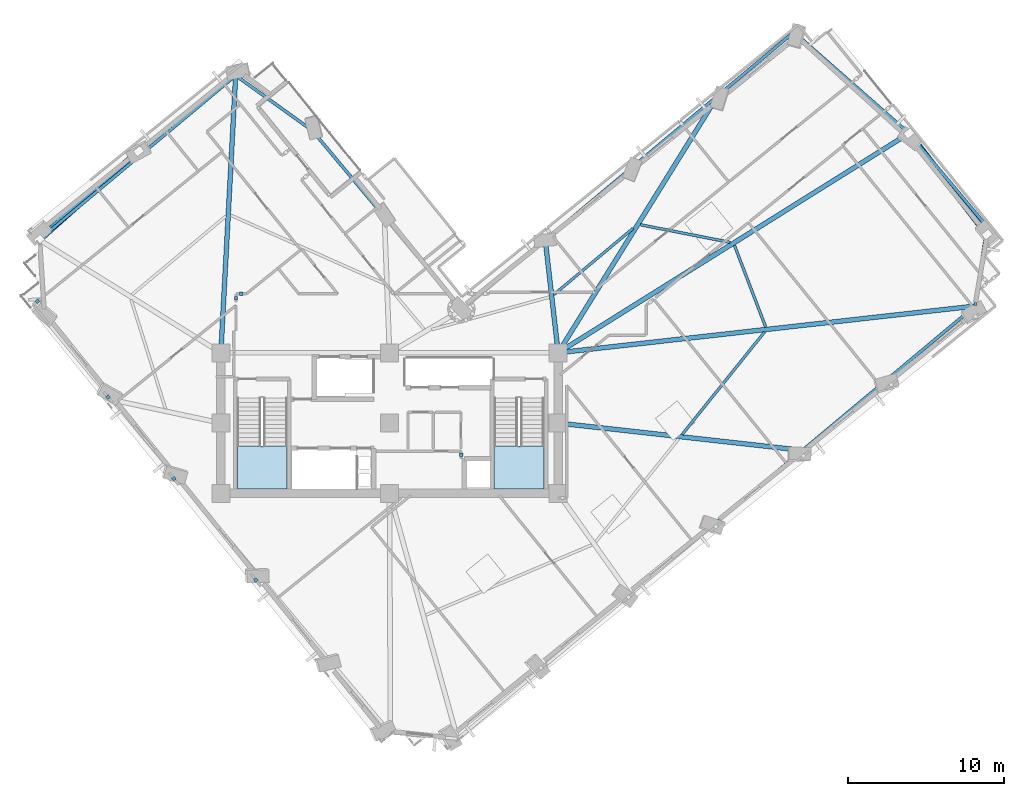
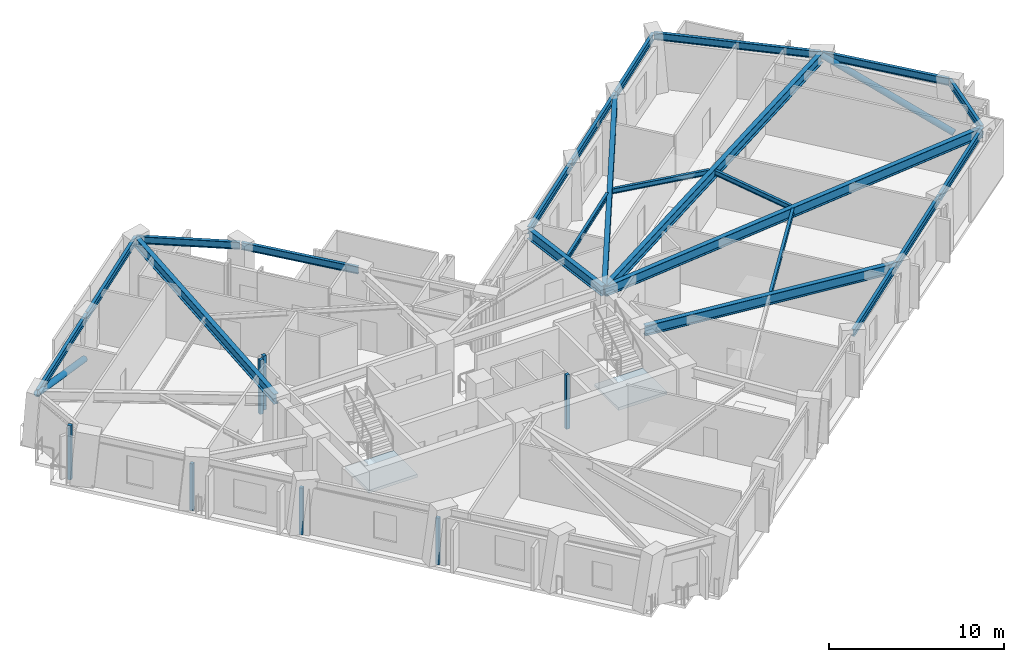
# One storey, part 2 of 14: 23 beams, 7 plates, 2 members, 2 slabs, 2 elements without a shape of their own.
"""IFC4 building model written with IfcOpenShell, lengths in metres."""

from ifc_helpers import new_model, si_unit, direction, frame, origin, origin_2d, place, context, subcontext, project, spatial, polyline, rectangle, hollow_circle, i_section, outline, extrude, material, layer, layer_set, material_profile, profile_set, type_object, element, aggregate, save


model = new_model("IFC4")

# Units and contexts
model_context = context("Model", 3, precision=1e-05, world=origin(), true_north=direction((0.0, 1.0)))
body_context = subcontext(model_context, "Body", "Model", "MODEL_VIEW")
ifc_project = project(units=[si_unit("LENGTHUNIT", "METRE"), si_unit("AREAUNIT", "SQUARE_METRE"), si_unit("VOLUMEUNIT", "CUBIC_METRE"), si_unit("PLANEANGLEUNIT", "RADIAN"), si_unit("MASSUNIT", "GRAM", prefix="KILO")], contexts=[model_context])

# Site, building, storey
site_placement = place(None, origin())
site = spatial("IfcSite", under=ifc_project, at=site_placement, CompositionType="ELEMENT")
building_placement = place(site_placement, origin())
building = spatial("IfcBuilding", under=site, at=building_placement, Name="Gaonmaruhae Medical Tower", CompositionType="ELEMENT")
storey_placement = place(building_placement, frame((0.0, 0.0, 189.800048828125)))
storey = spatial("IfcBuildingStorey", under=building, at=storey_placement, Name="L45", CompositionType="ELEMENT", Elevation=189.800048828125)

# Beams
ifc_material_1 = material(Name="Steel SM355", Category="steel")
ifc_material_profile_1 = material_profile(ifc_material_1, i_section(OverallWidth=0.175048828125, OverallDepth=0.35009765625, WebThickness=0.007080078125, FlangeThickness=0.010986328125, FilletRadius=0.012939453125, at=origin_2d()), Name="H-350x175x7x11")
ifc_profile_set_1 = profile_set([ifc_material_profile_1], Name="Steel SM355")
beam_type_1 = type_object("IfcBeamType", Name="FJ-02 Upper Zone Ward Floor Joist (H-350x175x7x11)", PredefinedType="JOIST", material=ifc_profile_set_1)
beam_1_placement = place(storey_placement, frame((43.5390625, 11.569580078125, 3.60498046875), z_axis=(0.626685849725, 0.779271997286, 0.0), x_axis=(-0.779271997286, 0.626685849725, 0.0)))
element("IfcBeam", 1, at=beam_1_placement, inside=storey, type_object=beam_type_1, Name="L45 Secondary Floor Joist FJ03", PredefinedType="JOIST", context=body_context, shape_type="SweptSolid", body=[
    extrude(i_section(OverallWidth=0.175048828125, OverallDepth=0.35009765625, WebThickness=0.007080078125, FlangeThickness=0.010986328125, FilletRadius=0.012939453125, at=origin_2d()), origin(), (0.0, 0.0, 1.0), 8.411376953125),
])
beam_2_placement = place(storey_placement, frame((48.889892578125, 18.4453125, 3.60498046875), z_axis=(-0.357205684933, 0.934025748388, 0.0), x_axis=(-0.934025748388, -0.357205684933, 0.0)))
element("IfcBeam", 2, at=beam_2_placement, inside=storey, type_object=beam_type_1, Name="L45 Secondary Floor Joist FJ04", PredefinedType="JOIST", context=body_context, shape_type="SweptSolid", body=[
    extrude(i_section(OverallWidth=0.175048828125, OverallDepth=0.35009765625, WebThickness=0.007080078125, FlangeThickness=0.010986328125, FilletRadius=0.012939453125, at=origin_2d()), origin(), (0.0, 0.0, 1.0), 5.601806640625),
])
beam_3_placement = place(storey_placement, frame((46.611083984375, 23.869384765625, 3.60498046875), z_axis=(-0.981236691887, 0.192807039534, 0.0), x_axis=(-0.192807039534, -0.981236691887, 0.0)))
element("IfcBeam", 3, at=beam_3_placement, inside=storey, type_object=beam_type_1, Name="L45 Secondary Floor Joist FJ05", PredefinedType="JOIST", context=body_context, shape_type="SweptSolid", body=[
    extrude(i_section(OverallWidth=0.175048828125, OverallDepth=0.35009765625, WebThickness=0.007080078125, FlangeThickness=0.010986328125, FilletRadius=0.012939453125, at=origin_2d()), origin(), (0.0, 0.0, 1.0), 5.847412109375),
])
beam_4_placement = place(storey_placement, frame((40.402587890625, 24.77197265625, 3.60498046875), z_axis=(-0.767155145094, -0.641461599283, 0.0), x_axis=(0.641461599283, -0.767155145094, 0.0)))
element("IfcBeam", 4, at=beam_4_placement, inside=storey, type_object=beam_type_1, Name="L45 Secondary Floor Joist FJ06", PredefinedType="JOIST", context=body_context, shape_type="SweptSolid", body=[
    extrude(i_section(OverallWidth=0.175048828125, OverallDepth=0.35009765625, WebThickness=0.007080078125, FlangeThickness=0.010986328125, FilletRadius=0.012939453125, at=origin_2d()), origin(), (0.0, 0.0, 1.0), 6.61376953125),
])

# Members
ifc_material_2 = material(Name="Steel SM420", Category="steel")
ifc_material_profile_2 = material_profile(ifc_material_2, hollow_circle(Radius=0.203125, WallThickness=0.0126953125, at=origin_2d()), Name="CHS-406.4x12.7")
ifc_profile_set_2 = profile_set([ifc_material_profile_2], Name="Steel SM420")
member_type = type_object("IfcMemberType", Name="PB-02 Perimeter Solid-Bay Tube Brace Mid (CHS-406.4x12.7)", PredefinedType="BRACE", material=ifc_profile_set_2)
member_1_placement = place(storey_placement, frame((63.064697265625, 24.379150390625, 0.25), z_axis=(-0.56744796322, 0.734479687185, 0.372212839852), x_axis=(-0.791339484165, -0.611376987465, 0.0)))
element("IfcMember", 5, at=member_1_placement, inside=storey, type_object=member_type, Name="L45 Perimeter Tube Solid-Bay Brace E01-E02", PredefinedType="BRACE", context=body_context, shape_type="SweptSolid", body=[
    extrude(hollow_circle(Radius=0.203125, WallThickness=0.0126953125, at=origin_2d()), origin(), (0.0, 0.0, 1.0), 8.812255859375),
])
member_2_placement = place(storey_placement, frame((8.7353515625, 29.710693359375, 0.25), z_axis=(-0.696956099495, -0.620810853632, 0.358951360757), x_axis=(0.665138142608, -0.746720330008, 0.0)))
element("IfcMember", 6, at=member_2_placement, inside=storey, type_object=member_type, Name="L45 Perimeter Tube Solid-Bay Brace N02-N03", PredefinedType="BRACE", context=body_context, shape_type="SweptSolid", body=[
    extrude(hollow_circle(Radius=0.203125, WallThickness=0.0126953125, at=origin_2d()), origin(), (0.0, 0.0, 1.0), 9.1376953125),
])

# Beams
ifc_material_profile_3 = material_profile(ifc_material_2, i_section(OverallWidth=0.300048828125, OverallDepth=0.699951171875, WebThickness=0.012939453125, FlangeThickness=0.02392578125, FilletRadius=0.01806640625, at=origin_2d()), Name="H-700x300x13x24")
ifc_profile_set_3 = profile_set([ifc_material_profile_3], Name="Steel SM420")
beam_type_2 = type_object("IfcBeamType", Name="PG-03 Zone 3 Radial Floor Girder (H-700x300x13x24)", PredefinedType="BEAM", material=ifc_profile_set_3)
beam_5_placement = place(storey_placement, frame((35.649658203125, 12.29443359375, 3.429931640625), z_axis=(0.993825745271, -0.110952188061, 0.0), x_axis=(0.110952188061, 0.993825745271, 0.0)))
element("IfcBeam", 7, at=beam_5_placement, inside=storey, type_object=beam_type_2, Name="L45 Radial Primary Girder S05", PredefinedType="BEAM", context=body_context, shape_type="SweptSolid", body=[
    extrude(i_section(OverallWidth=0.300048828125, OverallDepth=0.699951171875, WebThickness=0.012939453125, FlangeThickness=0.02392578125, FilletRadius=0.01806640625, at=origin_2d()), origin(), (0.0, 0.0, 1.0), 15.64501953125),
])
beam_6_placement = place(storey_placement, frame((35.649658203125, 16.8056640625, 3.429931640625), z_axis=(0.993787236378, 0.111296580412, 0.0), x_axis=(-0.111296580412, 0.993787236378, 0.0)))
element("IfcBeam", 8, at=beam_6_placement, inside=storey, type_object=beam_type_2, Name="L45 Radial Primary Girder S07", PredefinedType="BEAM", context=body_context, shape_type="SweptSolid", body=[
    extrude(i_section(OverallWidth=0.300048828125, OverallDepth=0.699951171875, WebThickness=0.012939453125, FlangeThickness=0.02392578125, FilletRadius=0.01806640625, at=origin_2d()), origin(), (0.0, 0.0, 1.0), 26.761962890625),
])
beam_7_placement = place(storey_placement, frame((35.642333984375, 16.826416015625, 3.429931640625), z_axis=(0.847802360288, 0.530312321081, 0.0), x_axis=(-0.530312321081, 0.847802360288, 0.0)))
element("IfcBeam", 9, at=beam_7_placement, inside=storey, type_object=beam_type_2, Name="L45 Radial Primary Girder E02", PredefinedType="BEAM", context=body_context, shape_type="SweptSolid", body=[
    extrude(i_section(OverallWidth=0.300048828125, OverallDepth=0.699951171875, WebThickness=0.012939453125, FlangeThickness=0.02392578125, FilletRadius=0.01806640625, at=origin_2d()), origin(), (0.0, 0.0, 1.0), 26.397216796875),
])
beam_8_placement = place(storey_placement, frame((35.62646484375, 16.842529296875, 3.429931640625), z_axis=(0.527542904072, 0.849528389381, 0.0), x_axis=(-0.849528389381, 0.527542904072, 0.0)))
element("IfcBeam", 10, at=beam_8_placement, inside=storey, type_object=beam_type_2, Name="L45 Radial Primary Girder EN01", PredefinedType="BEAM", context=body_context, shape_type="SweptSolid", body=[
    extrude(i_section(OverallWidth=0.300048828125, OverallDepth=0.699951171875, WebThickness=0.012939453125, FlangeThickness=0.02392578125, FilletRadius=0.01806640625, at=origin_2d()), origin(), (0.0, 0.0, 1.0), 19.272705078125),
])
beam_9_placement = place(storey_placement, frame((35.59423828125, 16.849609375, 3.429931640625), z_axis=(-0.113791533465, 0.993504648661, 0.0), x_axis=(-0.993504648661, -0.113791533465, 0.0)))
element("IfcBeam", 11, at=beam_9_placement, inside=storey, type_object=beam_type_2, Name="L45 Radial Primary Girder EN03", PredefinedType="BEAM", context=body_context, shape_type="SweptSolid", body=[
    extrude(i_section(OverallWidth=0.300048828125, OverallDepth=0.699951171875, WebThickness=0.012939453125, FlangeThickness=0.02392578125, FilletRadius=0.01806640625, at=origin_2d()), origin(), (0.0, 0.0, 1.0), 7.168212890625),
])
beam_10_placement = place(storey_placement, frame((14.002685546875, 16.849853515625, 3.429931640625), z_axis=(0.053320421548, 0.998577454505, 0.0), x_axis=(-0.998577454505, 0.053320421548, 0.0)))
element("IfcBeam", 12, at=beam_10_placement, inside=storey, type_object=beam_type_2, Name="L45 Radial Primary Girder N01", PredefinedType="BEAM", context=body_context, shape_type="SweptSolid", body=[
    extrude(i_section(OverallWidth=0.300048828125, OverallDepth=0.699951171875, WebThickness=0.012939453125, FlangeThickness=0.02392578125, FilletRadius=0.01806640625, at=origin_2d()), origin(), (0.0, 0.0, 1.0), 17.68310546875),
])
ifc_material_profile_4 = material_profile(ifc_material_1, i_section(OverallWidth=0.199951171875, OverallDepth=0.5, WebThickness=0.010009765625, FlangeThickness=0.01611328125, FilletRadius=0.012939453125, at=origin_2d()), Name="H-500x200x10x16")
ifc_profile_set_4 = profile_set([ifc_material_profile_4], Name="Steel SM355")
beam_type_3 = type_object("IfcBeamType", Name="SP-02 Upper Perimeter Spandrel Beam (H-500x200x10x16)", PredefinedType="SPANDREL", material=ifc_profile_set_4)
for number, where, z_axis, x_axis, name in (
    (13, (45.7548828125, 5.960205078125, 3.530029296875), (0.767160623285, 0.641455047592, 0.0), (-0.641455047592, 0.767160623285, 0.0), "L45 Perimeter Spandrel Beam S04-S05"),
    (14, (51.278564453125, 10.57861328125, 3.530029296875), (0.767160623285, 0.641455047592, 0.0), (-0.641455047592, 0.767160623285, 0.0), "L45 Perimeter Spandrel Beam S05-S06"),
    (15, (56.802001953125, 15.197021484375, 3.530029296875), (0.767160623285, 0.641455047592, 0.0), (-0.641455047592, 0.767160623285, 0.0), "L45 Perimeter Spandrel Beam S06-S07"),
):
    element("IfcBeam", number, at=place(storey_placement, frame(where, z_axis=z_axis, x_axis=x_axis)), inside=storey, type_object=beam_type_3, Name=name, PredefinedType="SPANDREL", context=body_context, shape_type="SweptSolid", body=[
        extrude(i_section(OverallWidth=0.199951171875, OverallDepth=0.5, WebThickness=0.010009765625, FlangeThickness=0.01611328125, FilletRadius=0.012939453125, at=origin_2d()), origin(), (0.0, 0.0, 1.0), 7.119873046875),
    ])
beam_11_placement = place(storey_placement, frame((62.301025390625, 19.829345703125, 3.530029296875), z_axis=(0.150406090199, 0.988624300749, 0.0), x_axis=(-0.988624300749, 0.150406090199, 0.0)))
element("IfcBeam", 16, at=beam_11_placement, inside=storey, type_object=beam_type_3, Name="L45 Perimeter Spandrel Beam S07-E01", PredefinedType="SPANDREL", context=body_context, shape_type="SweptSolid", body=[
    extrude(i_section(OverallWidth=0.199951171875, OverallDepth=0.5, WebThickness=0.010009765625, FlangeThickness=0.01611328125, FilletRadius=0.012939453125, at=origin_2d()), origin(), (0.0, 0.0, 1.0), 5.056396484375),
])
beam_12_placement = place(storey_placement, frame((63.0419921875, 24.8984375, 3.530029296875), z_axis=(-0.641437116679, 0.767175615714, 0.0), x_axis=(-0.767175615714, -0.641437116679, 0.0)))
element("IfcBeam", 17, at=beam_12_placement, inside=storey, type_object=beam_type_3, Name="L45 Perimeter Spandrel Beam E01-E02", PredefinedType="SPANDREL", context=body_context, shape_type="SweptSolid", body=[
    extrude(i_section(OverallWidth=0.199951171875, OverallDepth=0.5, WebThickness=0.010009765625, FlangeThickness=0.01611328125, FilletRadius=0.012939453125, at=origin_2d()), origin(), (0.0, 0.0, 1.0), 7.719970703125),
])
beam_13_placement = place(storey_placement, frame((58.0341796875, 30.878173828125, 3.530029296875), z_axis=(-0.75115660841, 0.660124041103, 0.0), x_axis=(-0.660124041103, -0.75115660841, 0.0)))
element("IfcBeam", 18, at=beam_13_placement, inside=storey, type_object=beam_type_3, Name="L45 Perimeter Spandrel Beam E02-E03", PredefinedType="SPANDREL", context=body_context, shape_type="SweptSolid", body=[
    extrude(i_section(OverallWidth=0.199951171875, OverallDepth=0.5, WebThickness=0.010009765625, FlangeThickness=0.01611328125, FilletRadius=0.012939453125, at=origin_2d()), origin(), (0.0, 0.0, 1.0), 9.7353515625),
])
beam_14_placement = place(storey_placement, frame((50.660888671875, 37.305419921875, 3.530029296875), z_axis=(-0.767170231394, -0.641443556412, 0.0), x_axis=(0.641443556412, -0.767170231394, 0.0)))
element("IfcBeam", 19, at=beam_14_placement, inside=storey, type_object=beam_type_3, Name="L45 Perimeter Spandrel Beam E03-EN01", PredefinedType="SPANDREL", context=body_context, shape_type="SweptSolid", body=[
    extrude(i_section(OverallWidth=0.199951171875, OverallDepth=0.5, WebThickness=0.010009765625, FlangeThickness=0.01611328125, FilletRadius=0.012939453125, at=origin_2d()), origin(), (0.0, 0.0, 1.0), 6.270263671875),
])
for number, where, z_axis, x_axis, name in (
    (20, (45.789306640625, 33.232177734375, 3.530029296875), (-0.767160623285, -0.641455047592, 0.0), (0.641455047592, -0.767160623285, 0.0), "L45 Perimeter Spandrel Beam EN01-EN02"),
    (21, (40.265625, 28.61376953125, 3.530029296875), (-0.767160623285, -0.641455047592, 0.0), (0.641455047592, -0.767160623285, 0.0), "L45 Perimeter Spandrel Beam EN02-EN03"),
    (22, (24.444091796875, 25.5390625, 3.510009765625), (-0.641455047592, 0.767160623285, 0.0), (-0.767160623285, -0.641455047592, 0.0), "L45 Perimeter Spandrel Beam NE01-NE02"),
):
    element("IfcBeam", number, at=place(storey_placement, frame(where, z_axis=z_axis, x_axis=x_axis)), inside=storey, type_object=beam_type_3, Name=name, PredefinedType="SPANDREL", context=body_context, shape_type="SweptSolid", body=[
        extrude(i_section(OverallWidth=0.199951171875, OverallDepth=0.5, WebThickness=0.010009765625, FlangeThickness=0.01611328125, FilletRadius=0.012939453125, at=origin_2d()), origin(), (0.0, 0.0, 1.0), 7.119873046875),
    ])
beam_15_placement = place(storey_placement, frame((19.81884765625, 31.055419921875, 3.510009765625), z_axis=(-0.811888539937, 0.583812468794, 0.0), x_axis=(-0.583812468794, -0.811888539937, 0.0)))
element("IfcBeam", 23, at=beam_15_placement, inside=storey, type_object=beam_type_3, Name="L45 Perimeter Spandrel Beam NE02-N01", PredefinedType="SPANDREL", context=body_context, shape_type="SweptSolid", body=[
    extrude(i_section(OverallWidth=0.199951171875, OverallDepth=0.5, WebThickness=0.010009765625, FlangeThickness=0.01611328125, FilletRadius=0.012939453125, at=origin_2d()), origin(), (0.0, 0.0, 1.0), 5.959228515625),
])
for number, where, z_axis, x_axis, name in (
    (24, (14.91748046875, 34.531982421875, 3.530029296875), (-0.767175324182, -0.641437465359, 0.0), (0.641437465359, -0.767175324182, 0.0), "L45 Perimeter Spandrel Beam N01-N02"),
    (25, (8.626708984375, 29.272216796875, 3.530029296875), (-0.767160528718, -0.641455160691, 0.0), (0.641455160691, -0.767160528718, 0.0), "L45 Perimeter Spandrel Beam N02-N03"),
):
    element("IfcBeam", number, at=place(storey_placement, frame(where, z_axis=z_axis, x_axis=x_axis)), inside=storey, type_object=beam_type_3, Name=name, PredefinedType="SPANDREL", context=body_context, shape_type="SweptSolid", body=[
        extrude(i_section(OverallWidth=0.199951171875, OverallDepth=0.5, WebThickness=0.010009765625, FlangeThickness=0.01611328125, FilletRadius=0.012939453125, at=origin_2d()), origin(), (0.0, 0.0, 1.0), 8.1201171875),
    ])

# Plates
ifc_material_3 = material(Name="Anodised aluminium 6063-T6", Category="aluminium")
ifc_layer_1 = layer(ifc_material_3, 0.011962890625)
ifc_layer_set_1 = layer_set([ifc_layer_1], Name="Anodised aluminium 6063-T6")
plate_type = type_object("IfcPlateType", Name="PP-01 Interior Partition Corner Stiffener Plate", PredefinedType="SHEET", material=ifc_layer_set_1)
plate_1_placement = place(storey_placement, frame((29.3798828125, 10.260009765625, 0.0), z_axis=(0.0, 0.0, 1.0), x_axis=(0.0, -1.0, 0.0)))
element("IfcPlate", 26, at=plate_1_placement, inside=storey, type_object=plate_type, Name="L45 Partition Corner Stiffener Plate PLT-L45-JGP-PW002", PredefinedType="SHEET", context=body_context, shape_type="SweptSolid", body=[
    extrude(rectangle(XDim=0.219970703125, YDim=0.219970703125, at=origin_2d()), origin(), (0.0, 0.0, 1.0), 3.780029296875),
])
for number, where, z_axis, x_axis, name in (
    (27, (16.239013671875, 2.24560546875, 0.0), (0.0, 0.0, 1.0), (-0.628641963719, 0.777694851116, 0.0), "L45 Partition Corner Stiffener Plate PLT-L45-JGP-PW030"),
    (28, (10.990478515625, 8.738525390625, 0.0), (0.0, 0.0, 1.0), (-0.628506220787, 0.777804557991, 0.0), "L45 Partition Corner Stiffener Plate PLT-L45-JGP-PW035"),
):
    element("IfcPlate", number, at=place(storey_placement, frame(where, z_axis=z_axis, x_axis=x_axis)), inside=storey, type_object=plate_type, Name=name, PredefinedType="SHEET", context=body_context, shape_type="SweptSolid", body=[
        extrude(rectangle(XDim=0.219970703125, YDim=0.219970703125, at=origin_2d()), origin(), (0.0, 0.0, 1.0), 3.264892578125),
    ])
plate_2_placement = place(storey_placement, frame((14.969970703125, 20.29638671875, 0.0), z_axis=(0.0, 0.0, 1.0), x_axis=(0.0, -1.0, 0.0)))
element("IfcPlate", 29, at=plate_2_placement, inside=storey, type_object=plate_type, Name="L45 Partition Corner Stiffener Plate PLT-L45-JGP-PW038", PredefinedType="SHEET", context=body_context, shape_type="SweptSolid", body=[
    extrude(rectangle(XDim=0.219970703125, YDim=0.219970703125, at=origin_2d()), origin(), (0.0, 0.0, 1.0), 3.780029296875),
])
plate_3_placement = place(storey_placement, frame((6.77001953125, 13.96044921875, 0.0), z_axis=(0.0, 0.0, 1.0), x_axis=(-0.62869625553, 0.777650961732, 0.0)))
element("IfcPlate", 30, at=plate_3_placement, inside=storey, type_object=plate_type, Name="L45 Partition Corner Stiffener Plate PLT-L45-JGP-PW039", PredefinedType="SHEET", context=body_context, shape_type="SweptSolid", body=[
    extrude(rectangle(XDim=0.219970703125, YDim=0.219970703125, at=origin_2d()), origin(), (0.0, 0.0, 1.0), 3.264892578125),
])
for number, where, z_axis, x_axis, name in (
    (31, (2.251953125, 20.097412109375, 0.0), (0.0, 0.0, 1.0), (0.777881338706, 0.628411189344, 0.0), "L45 Partition Corner Stiffener Plate PLT-L45-JGP-PW041"),
    (32, (15.3173828125, 20.580078125, 0.0), (0.0, 0.0, 1.0), (-1.0, 0.0, 0.0), "L45 Partition Corner Stiffener Plate PLT-L45-JGP-PW045"),
):
    element("IfcPlate", number, at=place(storey_placement, frame(where, z_axis=z_axis, x_axis=x_axis)), inside=storey, type_object=plate_type, Name=name, PredefinedType="SHEET", context=body_context, shape_type="SweptSolid", body=[
        extrude(rectangle(XDim=0.219970703125, YDim=0.219970703125, at=origin_2d()), origin(), (0.0, 0.0, 1.0), 3.780029296875),
    ])

# Stair, slab
ifc_material_4 = material(Name="Concrete C40/50", Category="concrete")
stair_type = type_object("IfcStairType", Name="ST-T1 Primary Core Escape Dogleg Stair", PredefinedType="TWO_QUARTER_TURN_STAIR", material=ifc_material_4)
stair_1_placement = place(storey_placement, origin())
stair_1 = element("IfcStair", 33, at=stair_1_placement, inside=storey, type_object=stair_type, Name="L45 Protected Escape Stair ST-01", PredefinedType="TWO_QUARTER_TURN_STAIR")
ifc_layer_2 = layer(ifc_material_4, 0.199951171875)
ifc_layer_set_2 = layer_set([ifc_layer_2], Name="Concrete C40/50")
slab_type = type_object("IfcSlabType", Name="SL-200 Stair & Ramp Intermediate Concrete Landing", PredefinedType="LANDING", material=ifc_layer_set_2)
slab_1_placement = place(storey_placement, frame((0.0, 0.0, 1.800048828125)))
slab_1 = element("IfcSlab", 34, at=slab_1_placement, type_object=slab_type, Name="ST-01 landing 1", PredefinedType="LANDING", context=body_context, shape_type="SweptSolid", body=[
    extrude(outline(polyline([(15.050048828125, 10.820068359375), (15.050048828125, 8.0791015625), (18.25, 8.0791015625), (18.25, 10.820068359375), (15.050048828125, 10.820068359375)])), origin(), (0.0, 0.0, 1.0), 0.199951171875),
])
aggregate(stair_1, [slab_1])

stair_2_placement = place(storey_placement, origin())
stair_2 = element("IfcStair", 35, at=stair_2_placement, inside=storey, type_object=stair_type, Name="L45 Protected Escape Stair ST-02", PredefinedType="TWO_QUARTER_TURN_STAIR")
slab_2_placement = place(storey_placement, frame((0.0, 0.0, 1.800048828125)))
slab_2 = element("IfcSlab", 36, at=slab_2_placement, type_object=slab_type, Name="ST-02 landing 1", PredefinedType="LANDING", context=body_context, shape_type="SweptSolid", body=[
    extrude(outline(polyline([(31.5, 10.820068359375), (31.5, 8.0791015625), (34.699951171875, 8.0791015625), (34.699951171875, 10.820068359375), (31.5, 10.820068359375)])), origin(), (0.0, 0.0, 1.0), 0.199951171875),
])
aggregate(stair_2, [slab_2])

save(model, "model.ifc")
